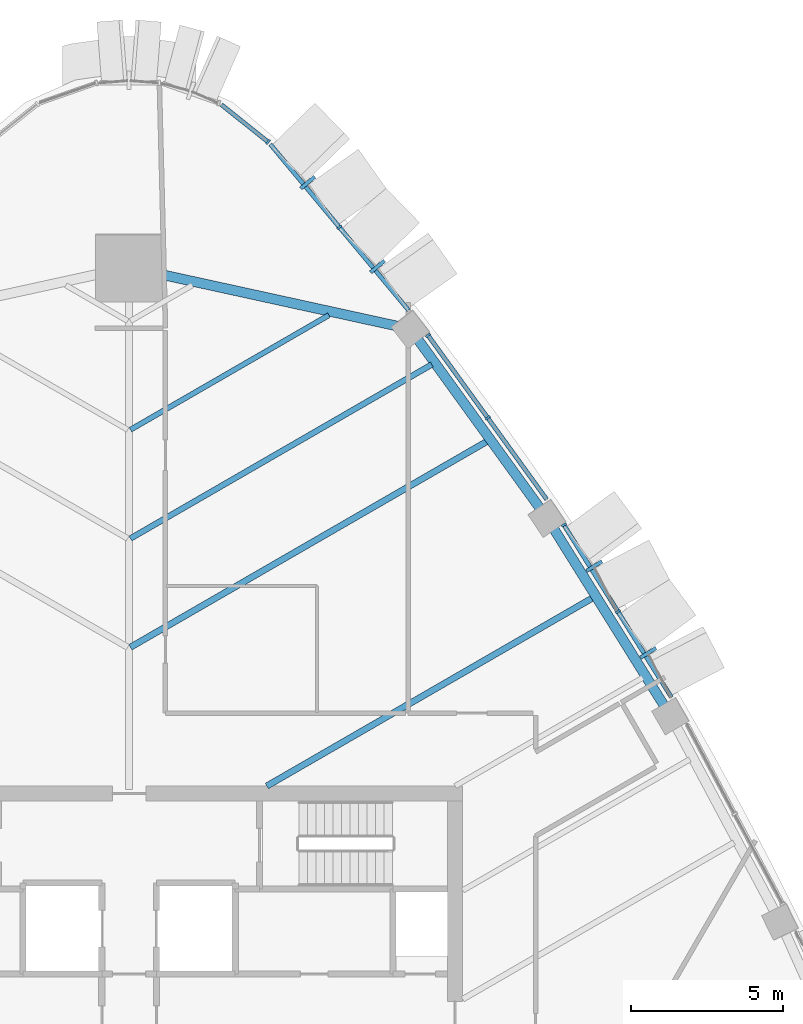
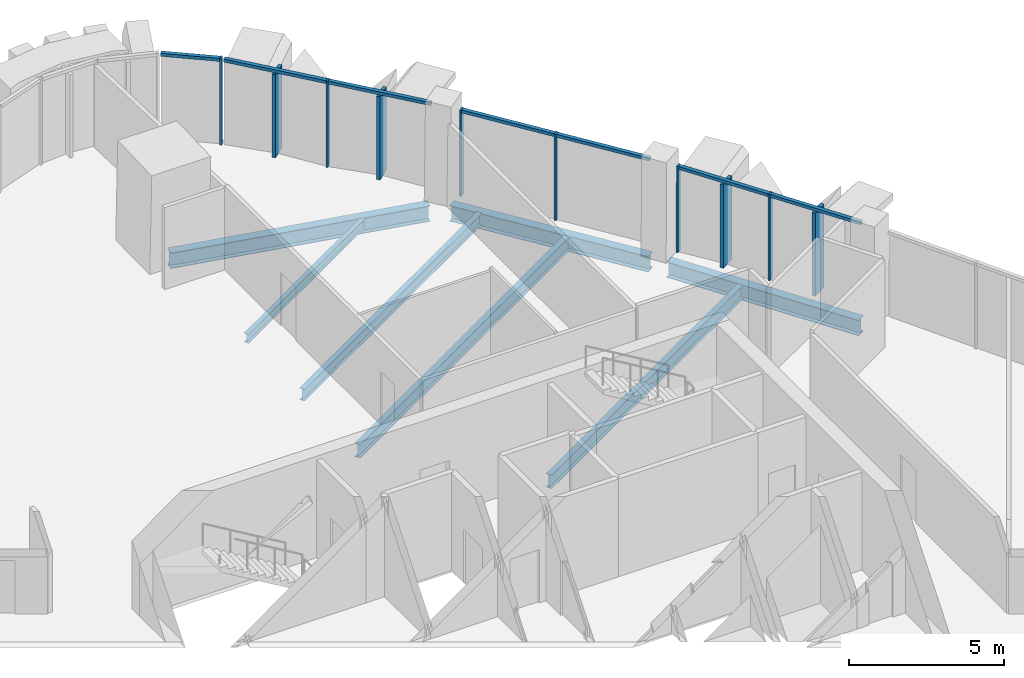
# One storey, part 7 of 18: 17 members, 7 beams, 4 elements without a shape of their own.
"""IFC4 building model written with IfcOpenShell, lengths in metres."""

import ifcopenshell
import ifcopenshell.guid

model = None  # the IFC model being written
_history = None  # IfcOwnerHistory: only IFC2X3 demands one
_inside = {}  # id of a spatial element -> (the spatial element, [elements in it])
_under = {}  # id of a project, library or spatial element -> (it, [spatial elements below it])
_declared = {}  # id of a project -> (the project, [libraries it declares])
_typed = {}  # id of a type object -> (the type object, [elements of that type])
_made_of = {}  # id of a material, layer set ... -> (it, [elements and type objects made of it])


def new_model(schema):
    """Start an empty IFC model of exactly this schema.

    Asked for "IFC4X3", IfcOpenShell would pick the latest addendum, in which some entities
    have other attributes; the version numbers below select the first issue.
    IFC2X3 requires an IfcOwnerHistory on every rooted entity: one is made here for all.
    """
    global model, _history
    if schema == "IFC4X3":
        model = ifcopenshell.file(schema_version=(4, 3, 0, 0))
    else:
        model = ifcopenshell.file(schema=schema)
    _inside.clear()
    _under.clear()
    _declared.clear()
    _typed.clear()
    _made_of.clear()
    _history = None
    if model.schema == "IFC2X3":
        org = make("IfcOrganization", Name="unknown")
        user = make(
            "IfcPersonAndOrganization",
            ThePerson=make("IfcPerson", FamilyName="unknown"),
            TheOrganization=org,
        )
        app = make(
            "IfcApplication",
            ApplicationDeveloper=org,
            Version="unknown",
            ApplicationFullName="unknown",
            ApplicationIdentifier="unknown",
        )
        _history = make(
            "IfcOwnerHistory",
            OwningUser=user,
            OwningApplication=app,
            ChangeAction="ADDED",
            CreationDate=0,
        )
    return model


def make(cls, **values):
    """One entity of the class cls with the attributes given. An attribute that is None is left unset."""
    return model.create_entity(
        cls, **{name: value for name, value in values.items() if value is not None}
    )


def rooted(cls, **values):
    """An entity with a GlobalId (a new one), such as an element, a storey or a relation."""
    return make(cls, GlobalId=ifcopenshell.guid.new(), OwnerHistory=_history, **values)


def si_unit(unit_type, name, prefix=None):
    """IfcSIUnit, for example si_unit("LENGTHUNIT", "METRE", prefix="MILLI")."""
    return make("IfcSIUnit", UnitType=unit_type, Prefix=prefix, Name=name)


def assignment(units):
    """IfcUnitAssignment: the units of a project."""
    return None if units is None else make("IfcUnitAssignment", Units=units)


def point(xyz):
    """IfcCartesianPoint."""
    return None if xyz is None else make("IfcCartesianPoint", Coordinates=xyz)


def direction(xyz):
    """IfcDirection."""
    return None if xyz is None else make("IfcDirection", DirectionRatios=xyz)


def frame(location, z_axis=None, x_axis=None):
    """IfcAxis2Placement3D, a coordinate frame: its origin and axes. An axis left out is left unset."""
    return make(
        "IfcAxis2Placement3D",
        Location=point(location),
        Axis=direction(z_axis),
        RefDirection=direction(x_axis),
    )


def frame_2d(location, x_axis=None):
    """IfcAxis2Placement2D, a coordinate frame in the plane: its origin and x axis."""
    return make(
        "IfcAxis2Placement2D", Location=point(location), RefDirection=direction(x_axis)
    )


def origin():
    """The frame at (0, 0, 0) with its axes left unset."""
    return frame((0.0, 0.0, 0.0))


def origin_2d():
    """The frame at (0, 0) in the plane with its x axis left unset."""
    return frame_2d((0.0, 0.0))


def place(relative_to, where):
    """IfcLocalPlacement: puts the frame where relative to a parent placement (None: the world)."""
    return make(
        "IfcLocalPlacement", PlacementRelTo=relative_to, RelativePlacement=where
    )


def context(
    kind, dimensions, precision=None, world=None, true_north=None, identifier=None
):
    """IfcGeometricRepresentationContext, for example the 3D "Model" context."""
    return make(
        "IfcGeometricRepresentationContext",
        ContextIdentifier=identifier,
        ContextType=kind,
        CoordinateSpaceDimension=dimensions,
        Precision=precision,
        WorldCoordinateSystem=world,
        TrueNorth=true_north,
    )


def subcontext(parent, identifier, kind, view, scale=None):
    """IfcGeometricRepresentationSubContext, for example "Body" below "Model"."""
    return make(
        "IfcGeometricRepresentationSubContext",
        ContextIdentifier=identifier,
        ContextType=kind,
        ParentContext=parent,
        TargetScale=scale,
        TargetView=view,
    )


def project(units=None, contexts=None):
    """IfcProject with its units and contexts."""
    return rooted(
        "IfcProject",
        Name="project",
        RepresentationContexts=contexts,
        UnitsInContext=assignment(units),
    )


def spatial(cls, under=None, at=None, **own):
    """A site, building, storey or space (cls), placed at a placement, below another one or the project."""
    s = rooted(cls, ObjectPlacement=at, **own)
    if under is not None:
        _under.setdefault(under.id(), (under, []))[1].append(s)
    return s


def profile(cls, at=None, kind="AREA", **sizes):
    """A parametric profile (cls). Its sizes go by their IFC names, for example OverallWidth=200.0."""
    return make(cls, ProfileType=kind, Position=at, **sizes)


def rectangle(**sizes):
    """IfcRectangleProfileDef."""
    return profile("IfcRectangleProfileDef", **sizes)


def i_section(**sizes):
    """IfcIShapeProfileDef."""
    return profile("IfcIShapeProfileDef", **sizes)


def extrude(swept, where, along, depth):
    """IfcExtrudedAreaSolid: the profile swept, set in the frame where, extruded along a direction by depth."""
    return make(
        "IfcExtrudedAreaSolid",
        SweptArea=swept,
        Position=where,
        ExtrudedDirection=direction(along),
        Depth=depth,
    )


def shape(context_of_items, identifier, shape_type, items):
    """IfcShapeRepresentation: the items that make up one representation, for example the "Body"."""
    return make(
        "IfcShapeRepresentation",
        ContextOfItems=context_of_items,
        RepresentationIdentifier=identifier,
        RepresentationType=shape_type,
        Items=items,
    )


def material(Name=None, Category=None):
    """IfcMaterial."""
    return make("IfcMaterial", Name=Name, Category=Category)


def layer(
    of_material, thickness, ventilated=None, Name=None, Category=None, Priority=None
):
    """IfcMaterialLayer: one layer of a wall or slab, of a material (None: an air gap)."""
    return make(
        "IfcMaterialLayer",
        Material=of_material,
        LayerThickness=thickness,
        IsVentilated=ventilated,
        Name=Name,
        Category=Category,
        Priority=Priority,
    )


def layer_set(layers, Name=None):
    """IfcMaterialLayerSet."""
    return make("IfcMaterialLayerSet", MaterialLayers=layers, LayerSetName=Name)


def material_profile(
    of_material, cross_section, Name=None, Category=None, Priority=None
):
    """IfcMaterialProfile: a cross section and its material."""
    return make(
        "IfcMaterialProfile",
        Name=Name,
        Material=of_material,
        Profile=cross_section,
        Priority=Priority,
        Category=Category,
    )


def profile_set(profiles, Name=None, composite=None):
    """IfcMaterialProfileSet."""
    return make(
        "IfcMaterialProfileSet",
        Name=Name,
        MaterialProfiles=profiles,
        CompositeProfile=composite,
    )


def made_of(thing, what):
    """Note that an element or type object is made of a material, layer set ...; save() writes the relation."""
    if what is not None:
        _made_of.setdefault(what.id(), (what, []))[1].append(thing)
    return thing


def type_object(cls, material=None, **own):
    """A type object (cls), such as IfcWallType, which elements share."""
    return made_of(rooted(cls, **own), material)


def element(
    cls,
    number,
    at=None,
    inside=None,
    cuts=None,
    type_object=None,
    material=None,
    context=None,
    identifier="Body",
    shape_type=None,
    held_by="IfcProductDefinitionShape",
    body=None,
    shapes=None,
    **own,
):
    """One element of the class cls, such as IfcWall. Its Tag is "e" and its number.

    at: its placement. inside: the storey or other place that contains it. cuts: it is an
    opening in that element (IfcRelVoidsElement). A single representation is given by context,
    identifier, shape_type and body (its items); several are given by shapes. held_by: the class
    of the entity that holds the representations. save() writes the other relations.
    """
    e = rooted(cls, Tag="e%d" % number, ObjectPlacement=at, **own)
    if body is not None:
        shapes = [shape(context, identifier, shape_type, body)]
    if shapes is not None:
        e.Representation = make(held_by, Representations=shapes)
    if inside is not None:
        _inside.setdefault(inside.id(), (inside, []))[1].append(e)
    if cuts is not None:
        rooted(
            "IfcRelVoidsElement", RelatingBuildingElement=cuts, RelatedOpeningElement=e
        )
    if type_object is not None:
        _typed.setdefault(type_object.id(), (type_object, []))[1].append(e)
    return made_of(e, material)


def aggregate(whole, parts):
    """IfcRelAggregates: a whole, such as a stair, and the parts it consists of."""
    return rooted("IfcRelAggregates", RelatingObject=whole, RelatedObjects=parts)


def save(model, path):
    """Write the relations noted so far, then the file.

    IfcRelAggregates (storeys below a building ...), IfcRelContainedInSpatialStructure (elements
    in a storey), IfcRelDefinesByType, IfcRelAssociatesMaterial and IfcRelDeclares: one each for
    every whole, place, type object, material and project.
    """
    for whole, parts in _under.values():
        aggregate(whole, parts)
    for where, things in _inside.values():
        rooted(
            "IfcRelContainedInSpatialStructure",
            RelatedElements=things,
            RelatingStructure=where,
        )
    for kind, things in _typed.values():
        rooted("IfcRelDefinesByType", RelatedObjects=things, RelatingType=kind)
    for what, things in _made_of.values():
        rooted("IfcRelAssociatesMaterial", RelatedObjects=things, RelatingMaterial=what)
    for by, libraries in _declared.values():
        rooted("IfcRelDeclares", RelatingContext=by, RelatedDefinitions=libraries)
    model.write(path)


model = new_model("IFC4")

# Units and contexts
model_context = context("Model", 3, precision=1e-05, world=origin(), true_north=direction((0.0, 1.0)))
body_context = subcontext(model_context, "Body", "Model", "MODEL_VIEW")
ifc_project = project(units=[si_unit("LENGTHUNIT", "METRE"), si_unit("AREAUNIT", "SQUARE_METRE"), si_unit("VOLUMEUNIT", "CUBIC_METRE"), si_unit("PLANEANGLEUNIT", "RADIAN"), si_unit("MASSUNIT", "GRAM", prefix="KILO")], contexts=[model_context])

# Site, building, storey
site_placement = place(None, origin())
site = spatial("IfcSite", under=ifc_project, at=site_placement, CompositionType="ELEMENT")
building_placement = place(site_placement, origin())
building = spatial("IfcBuilding", under=site, at=building_placement, Name="Sierra Prisma Convention Tower", CompositionType="ELEMENT")
storey_placement = place(building_placement, frame((0.0, 0.0, 251.0)))
storey = spatial("IfcBuildingStorey", under=building, at=storey_placement, Name="L56", CompositionType="ELEMENT", Elevation=251.0)

# Curtain wall, members
ifc_material_1 = material(Name="Aluminium and glass curtain wall", Category="aluminium")
ifc_layer_1 = layer(ifc_material_1, 0.179931640625)
ifc_layer_set_1 = layer_set([ifc_layer_1], Name="CW-2 Faceted crystal curtain wall")
curtain_wall_type_1 = type_object("IfcCurtainWallType", Name="CW-2 Faceted crystal curtain wall", PredefinedType="NOTDEFINED", material=ifc_layer_set_1)
curtain_wall_1_placement = place(storey_placement, origin())
curtain_wall_1 = element("IfcCurtainWall", 1, at=curtain_wall_1_placement, inside=storey, type_object=curtain_wall_type_1, Name="CW-2 NE4 L56", PredefinedType="NOTDEFINED")
ifc_material_2 = material(Name="Aluminium 6063-T6 bronze anodised", Category="aluminium")
ifc_material_profile_1 = material_profile(ifc_material_2, rectangle(XDim=0.1201171875, YDim=0.60009765625, at=origin_2d()), Name="ALU RIDGE BLADE 120x600")
ifc_profile_set_1 = profile_set([ifc_material_profile_1], Name="Aluminium 6063-T6 bronze anodised")
member_type_1 = type_object("IfcMemberType", Name="CW hip bronze", PredefinedType="MULLION", material=ifc_profile_set_1)
member_1_placement = place(storey_placement, frame((17.11767578125, 12.390869140625, 0.0), z_axis=(0.0, 0.0, 1.0), x_axis=(-0.529311801068, 0.84842737889, 0.0)))
member_1 = element("IfcMember", 2, at=member_1_placement, type_object=member_type_1, Name="CW-2 ridge NE4.1", PredefinedType="MULLION", context=body_context, shape_type="SweptSolid", body=[
    extrude(rectangle(XDim=0.1201171875, YDim=0.60009765625, at=origin_2d()), origin(), (0.0, 0.0, 1.0), 3.280029296875),
])
member_2_placement = place(storey_placement, frame((15.335205078125, 15.248046875, 0.0), z_axis=(0.0, 0.0, 1.0), x_axis=(-0.529311801068, 0.84842737889, 0.0)))
member_2 = element("IfcMember", 3, at=member_2_placement, type_object=member_type_1, Name="CW-2 ridge NE4.2", PredefinedType="MULLION", context=body_context, shape_type="SweptSolid", body=[
    extrude(rectangle(XDim=0.1201171875, YDim=0.60009765625, at=origin_2d()), origin(), (0.0, 0.0, 1.0), 3.280029296875),
])

curtain_wall_2_placement = place(storey_placement, origin())
curtain_wall_2 = element("IfcCurtainWall", 4, at=curtain_wall_2_placement, inside=storey, type_object=curtain_wall_type_1, Name="CW-2 NE6 L56", PredefinedType="NOTDEFINED")
member_3_placement = place(storey_placement, frame((8.193115234375, 25.126220703125, 0.0), z_axis=(0.0, 0.0, 1.0), x_axis=(-0.640040491555, 0.768341180186, 0.0)))
member_3 = element("IfcMember", 5, at=member_3_placement, type_object=member_type_1, Name="CW-2 ridge NE6.1", PredefinedType="MULLION", context=body_context, shape_type="SweptSolid", body=[
    extrude(rectangle(XDim=0.1201171875, YDim=0.60009765625, at=origin_2d()), origin(), (0.0, 0.0, 1.0), 3.280029296875),
])
member_4_placement = place(storey_placement, frame((5.889892578125, 27.89111328125, 0.0), z_axis=(0.0, 0.0, 1.0), x_axis=(-0.640040491555, 0.768341180186, 0.0)))
member_4 = element("IfcMember", 6, at=member_4_placement, type_object=member_type_1, Name="CW-2 ridge NE6.2", PredefinedType="MULLION", context=body_context, shape_type="SweptSolid", body=[
    extrude(rectangle(XDim=0.1201171875, YDim=0.60009765625, at=origin_2d()), origin(), (0.0, 0.0, 1.0), 3.280029296875),
])

# Member
ifc_material_3 = material(Name="Aluminium 6063-T6 bronze anodised", Category="aluminium")
ifc_material_profile_2 = material_profile(ifc_material_3, rectangle(XDim=0.179931640625, YDim=0.070068359375, at=origin_2d()), Name="ALU MULLION 70x180")
ifc_profile_set_2 = profile_set([ifc_material_profile_2], Name="Aluminium 6063-T6 bronze anodised")
member_type_2 = type_object("IfcMemberType", Name="CW mullion bronze", PredefinedType="MULLION", material=ifc_profile_set_2)
member_5_placement = place(storey_placement, frame((16.116455078125, 13.750732421875, 0.0), z_axis=(0.0, 0.0, 1.0), x_axis=(-0.84842737889, -0.529311801068, 0.0)))
member_5 = element("IfcMember", 7, at=member_5_placement, type_object=member_type_2, Name="CW-1 mullion NE4.2", PredefinedType="MULLION", context=body_context, shape_type="SweptSolid", body=[
    extrude(rectangle(XDim=0.179931640625, YDim=0.070068359375, at=origin_2d()), origin(), (0.0, 0.0, 1.0), 3.39990234375),
])

member_6_placement = place(storey_placement, frame((14.333984375, 16.60791015625, 0.0), z_axis=(0.0, 0.0, 1.0), x_axis=(-0.84842737889, -0.529311801068, 0.0)))
member_6 = element("IfcMember", 8, at=member_6_placement, type_object=member_type_2, Name="CW-1 mullion NE4.3", PredefinedType="MULLION", context=body_context, shape_type="SweptSolid", body=[
    extrude(rectangle(XDim=0.179931640625, YDim=0.070068359375, at=origin_2d()), origin(), (0.0, 0.0, 1.0), 3.39990234375),
])

# Curtain wall, members
ifc_material_4 = material(Name="Aluminium and glass curtain wall", Category="aluminium")
ifc_layer_2 = layer(ifc_material_4, 0.179931640625)
ifc_layer_set_2 = layer_set([ifc_layer_2], Name="CW-1 Plain shaft curtain wall")
curtain_wall_type_2 = type_object("IfcCurtainWallType", Name="CW-1 Plain shaft curtain wall", PredefinedType="NOTDEFINED", material=ifc_layer_set_2)
curtain_wall_3_placement = place(storey_placement, origin())
curtain_wall_3 = element("IfcCurtainWall", 9, at=curtain_wall_3_placement, inside=storey, type_object=curtain_wall_type_2, Name="CW-1 NE5 L56", PredefinedType="NOTDEFINED")
member_7_placement = place(storey_placement, frame((11.822021484375, 20.138671875, 0.0), z_axis=(0.0, 0.0, 1.0), x_axis=(-0.810277948692, -0.586045771133, 0.0)))
member_7 = element("IfcMember", 10, at=member_7_placement, type_object=member_type_2, Name="CW-1 mullion NE5.2", PredefinedType="MULLION", context=body_context, shape_type="SweptSolid", body=[
    extrude(rectangle(XDim=0.179931640625, YDim=0.070068359375, at=origin_2d()), origin(), (0.0, 0.0, 1.0), 3.39990234375),
])
member_8_placement = place(storey_placement, frame((9.857421875, 22.85498046875, 0.0), z_axis=(0.0, 0.0, 1.0), x_axis=(-0.810277948692, -0.586045771133, 0.0)))
member_8 = element("IfcMember", 11, at=member_8_placement, type_object=member_type_2, Name="CW-1 mullion NE5.3", PredefinedType="MULLION", context=body_context, shape_type="SweptSolid", body=[
    extrude(rectangle(XDim=0.179931640625, YDim=0.070068359375, at=origin_2d()), origin(), (0.0, 0.0, 1.0), 3.39990234375),
])

# Member
member_9_placement = place(storey_placement, frame((6.934814453125, 26.419677734375, 0.0), z_axis=(0.0, 0.0, 1.0), x_axis=(-0.768341180186, -0.640040491555, 0.0)))
member_9 = element("IfcMember", 12, at=member_9_placement, type_object=member_type_2, Name="CW-1 mullion NE6.2", PredefinedType="MULLION", context=body_context, shape_type="SweptSolid", body=[
    extrude(rectangle(XDim=0.179931640625, YDim=0.070068359375, at=origin_2d()), origin(), (0.0, 0.0, 1.0), 3.39990234375),
])

# Curtain wall, member
curtain_wall_4_placement = place(storey_placement, origin())
curtain_wall_4 = element("IfcCurtainWall", 13, at=curtain_wall_4_placement, inside=storey, type_object=curtain_wall_type_2, Name="CW-1 N1 L56", PredefinedType="NOTDEFINED")
member_10_placement = place(storey_placement, frame((4.58203125, 29.2333984375, 0.0), z_axis=(0.0, 0.0, 1.0), x_axis=(-0.623838056769, -0.78155363151, 0.0)))
member_10 = element("IfcMember", 14, at=member_10_placement, type_object=member_type_2, Name="CW-1 mullion N1.1", PredefinedType="MULLION", context=body_context, shape_type="SweptSolid", body=[
    extrude(rectangle(XDim=0.179931640625, YDim=0.070068359375, at=origin_2d()), origin(), (0.0, 0.0, 1.0), 3.39990234375),
])

# Member
ifc_material_5 = material(Name="Aluminium 6063-T6 bronze anodised", Category="aluminium")
ifc_material_profile_3 = material_profile(ifc_material_5, rectangle(XDim=0.139892578125, YDim=0.1201171875, at=origin_2d()), Name="ALU TRANSOM 120x140")
ifc_profile_set_3 = profile_set([ifc_material_profile_3], Name="Aluminium 6063-T6 bronze anodised")
member_type_3 = type_object("IfcMemberType", Name="CW transom bronze", PredefinedType="USERDEFINED", material=ifc_profile_set_3)
member_11_placement = place(storey_placement, frame((17.88037109375, 10.92333984375, 3.340087890625), z_axis=(-0.529313271206, 0.848426461707, 0.0), x_axis=(-0.848426461707, -0.529313271206, 0.0)))
member_11 = element("IfcMember", 15, at=member_11_placement, type_object=member_type_3, Name="CW-1 transom NE4.1", ObjectType="TRANSOM", PredefinedType="USERDEFINED", context=body_context, shape_type="SweptSolid", body=[
    extrude(rectangle(XDim=0.139892578125, YDim=0.1201171875, at=origin_2d()), origin(), (0.0, 0.0, 1.0), 3.29736328125),
])

member_12_placement = place(storey_placement, frame((16.097900390625, 13.780517578125, 3.340087890625), z_axis=(-0.529313271206, 0.848426461707, 0.0), x_axis=(-0.848426461707, -0.529313271206, 0.0)))
member_12 = element("IfcMember", 16, at=member_12_placement, type_object=member_type_3, Name="CW-1 transom NE4.2", ObjectType="TRANSOM", PredefinedType="USERDEFINED", context=body_context, shape_type="SweptSolid", body=[
    extrude(rectangle(XDim=0.139892578125, YDim=0.1201171875, at=origin_2d()), origin(), (0.0, 0.0, 1.0), 3.29736328125),
])

aggregate(curtain_wall_1, [member_5, member_6, member_11, member_1, member_12, member_2])

member_13_placement = place(storey_placement, frame((13.76611328125, 17.45068359375, 3.340087890625), z_axis=(-0.58603355641, 0.810286783035, 0.0), x_axis=(-0.810286783035, -0.58603355641, 0.0)))
member_13 = element("IfcMember", 17, at=member_13_placement, type_object=member_type_3, Name="CW-1 transom NE5.1", ObjectType="TRANSOM", PredefinedType="USERDEFINED", context=body_context, shape_type="SweptSolid", body=[
    extrude(rectangle(XDim=0.139892578125, YDim=0.1201171875, at=origin_2d()), origin(), (0.0, 0.0, 1.0), 3.282470703125),
])

member_14_placement = place(storey_placement, frame((11.801513671875, 20.1669921875, 3.340087890625), z_axis=(-0.58603355641, 0.810286783035, 0.0), x_axis=(-0.810286783035, -0.58603355641, 0.0)))
member_14 = element("IfcMember", 18, at=member_14_placement, type_object=member_type_3, Name="CW-1 transom NE5.2", ObjectType="TRANSOM", PredefinedType="USERDEFINED", context=body_context, shape_type="SweptSolid", body=[
    extrude(rectangle(XDim=0.139892578125, YDim=0.1201171875, at=origin_2d()), origin(), (0.0, 0.0, 1.0), 3.282470703125),
])

aggregate(curtain_wall_3, [member_7, member_8, member_13, member_14])

member_15_placement = place(storey_placement, frame((9.215576171875, 23.681884765625, 3.340087890625), z_axis=(-0.640048269469, 0.768334700993, 0.0), x_axis=(-0.768334700993, -0.640048269469, 0.0)))
member_15 = element("IfcMember", 19, at=member_15_placement, type_object=member_type_3, Name="CW-1 transom NE6.1", ObjectType="TRANSOM", PredefinedType="USERDEFINED", context=body_context, shape_type="SweptSolid", body=[
    extrude(rectangle(XDim=0.139892578125, YDim=0.1201171875, at=origin_2d()), origin(), (0.0, 0.0, 1.0), 3.5283203125),
])

member_16_placement = place(storey_placement, frame((6.912353515625, 26.44677734375, 3.340087890625), z_axis=(-0.640048269469, 0.768334700993, 0.0), x_axis=(-0.768334700993, -0.640048269469, 0.0)))
member_16 = element("IfcMember", 20, at=member_16_placement, type_object=member_type_3, Name="CW-1 transom NE6.2", ObjectType="TRANSOM", PredefinedType="USERDEFINED", context=body_context, shape_type="SweptSolid", body=[
    extrude(rectangle(XDim=0.139892578125, YDim=0.1201171875, at=origin_2d()), origin(), (0.0, 0.0, 1.0), 3.5283203125),
])

aggregate(curtain_wall_2, [member_9, member_15, member_3, member_16, member_4])

member_17_placement = place(storey_placement, frame((4.5546875, 29.255126953125, 3.340087890625), z_axis=(-0.781571258418, 0.623815972876, 0.0), x_axis=(-0.623815972876, -0.781571258418, 0.0)))
member_17 = element("IfcMember", 21, at=member_17_placement, type_object=member_type_3, Name="CW-1 transom N1.1", ObjectType="TRANSOM", PredefinedType="USERDEFINED", context=body_context, shape_type="SweptSolid", body=[
    extrude(rectangle(XDim=0.139892578125, YDim=0.1201171875, at=origin_2d()), origin(), (0.0, 0.0, 1.0), 1.931396484375),
])

aggregate(curtain_wall_4, [member_10, member_17])

# Beams
ifc_material_6 = material(Name="Steel ASTM A992 Gr 50", Category="steel")
ifc_material_profile_4 = material_profile(ifc_material_6, i_section(OverallWidth=0.172119140625, OverallDepth=0.35791015625, WebThickness=0.0078125, FlangeThickness=0.01318359375, at=origin_2d()), Name="W360x57")
ifc_profile_set_4 = profile_set([ifc_material_profile_4], Name="Steel ASTM A992 Gr 50")
beam_type_1 = type_object("IfcBeamType", Name="Floor joist W360x57", PredefinedType="JOIST", material=ifc_profile_set_4)
beam_1_placement = place(storey_placement, frame((6.588623046875, 23.52294921875, -0.3291015625), z_axis=(-0.866031139017, -0.499990066154, 0.0), x_axis=(0.499990066154, -0.866031139017, 0.0)))
element("IfcBeam", 22, at=beam_1_placement, inside=storey, type_object=beam_type_1, Name="Floor joist L56 NE13", PredefinedType="JOIST", context=body_context, shape_type="SweptSolid", body=[
    extrude(i_section(OverallWidth=0.172119140625, OverallDepth=0.35791015625, WebThickness=0.0078125, FlangeThickness=0.01318359375, at=origin_2d()), origin(), (0.0, 0.0, 1.0), 7.554931640625),
])
ifc_material_7 = material(Name="Steel ASTM A992 Gr 50", Category="steel")
ifc_material_profile_5 = material_profile(ifc_material_7, i_section(OverallWidth=0.18994140625, OverallDepth=0.45703125, WebThickness=0.009033203125, FlangeThickness=0.014404296875, at=origin_2d()), Name="W460x74")
ifc_profile_set_5 = profile_set([ifc_material_profile_5], Name="Steel ASTM A992 Gr 50")
beam_type_2 = type_object("IfcBeamType", Name="Floor joist W460x74", PredefinedType="JOIST", material=ifc_profile_set_5)
beam_2_placement = place(storey_placement, frame((9.980224609375, 21.89599609375, -0.37841796875), z_axis=(-0.866025033342, -0.500000641624, 0.0), x_axis=(0.500000641624, -0.866025033342, 0.0)))
element("IfcBeam", 23, at=beam_2_placement, inside=storey, type_object=beam_type_2, Name="Floor joist L56 NE12", PredefinedType="JOIST", context=body_context, shape_type="SweptSolid", body=[
    extrude(i_section(OverallWidth=0.18994140625, OverallDepth=0.45703125, WebThickness=0.009033203125, FlangeThickness=0.014404296875, at=origin_2d()), origin(), (0.0, 0.0, 1.0), 11.47119140625),
])
ifc_material_8 = material(Name="Steel ASTM A992 Gr 50", Category="steel")
ifc_material_profile_6 = material_profile(ifc_material_8, i_section(OverallWidth=0.208984375, OverallDepth=0.532958984375, WebThickness=0.01025390625, FlangeThickness=0.015625, at=origin_2d()), Name="W530x92")
ifc_profile_set_6 = profile_set([ifc_material_profile_6], Name="Steel ASTM A992 Gr 50")
beam_type_3 = type_object("IfcBeamType", Name="Floor joist W530x92", PredefinedType="JOIST", material=ifc_profile_set_6)
beam_3_placement = place(storey_placement, frame((15.288330078125, 14.20458984375, -0.41650390625), z_axis=(-0.866028653791, -0.499994370782, 0.0), x_axis=(0.499994370782, -0.866028653791, 0.0)))
element("IfcBeam", 24, at=beam_3_placement, inside=storey, type_object=beam_type_3, Name="Floor joist L56 NE09", PredefinedType="JOIST", context=body_context, shape_type="SweptSolid", body=[
    extrude(i_section(OverallWidth=0.208984375, OverallDepth=0.532958984375, WebThickness=0.01025390625, FlangeThickness=0.015625, at=origin_2d()), origin(), (0.0, 0.0, 1.0), 12.409423828125),
])
beam_4_placement = place(storey_placement, frame((11.8095703125, 19.36669921875, -0.41650390625), z_axis=(-0.866025756889, -0.499999388405, 0.0), x_axis=(0.499999388405, -0.866025756889, 0.0)))
element("IfcBeam", 25, at=beam_4_placement, inside=storey, type_object=beam_type_3, Name="Floor joist L56 NE11", PredefinedType="JOIST", context=body_context, shape_type="SweptSolid", body=[
    extrude(i_section(OverallWidth=0.208984375, OverallDepth=0.532958984375, WebThickness=0.01025390625, FlangeThickness=0.015625, at=origin_2d()), origin(), (0.0, 0.0, 1.0), 13.58349609375),
])
ifc_material_9 = material(Name="Steel ASTM A992 Gr 50", Category="steel")
ifc_material_profile_7 = material_profile(ifc_material_9, i_section(OverallWidth=0.324951171875, OverallDepth=0.615966796875, WebThickness=0.013916015625, FlangeThickness=0.021484375, at=origin_2d()), Name="W610x174")
ifc_profile_set_7 = profile_set([ifc_material_profile_7], Name="Steel ASTM A992 Gr 50")
beam_type_4 = type_object("IfcBeamType", Name="Spandrel beam W610x174", PredefinedType="BEAM", material=ifc_profile_set_7)
for number, where, z_axis, x_axis, name in (
    (26, (17.677734375, 10.58740234375, -0.4580078125), (-0.529315369114, 0.848425152868, 0.0), (-0.848425152868, -0.529315369114, 0.0), "Spandrel L56-10"),
    (27, (13.5869140625, 17.101806640625, -0.4580078125), (-0.586045595424, 0.810278075777, 0.0), (-0.810278075777, -0.586045595424, 0.0), "Spandrel L56-11"),
):
    element("IfcBeam", number, at=place(storey_placement, frame(where, z_axis=z_axis, x_axis=x_axis)), inside=storey, type_object=beam_type_4, Name=name, PredefinedType="BEAM", context=body_context, shape_type="SweptSolid", body=[
        extrude(i_section(OverallWidth=0.324951171875, OverallDepth=0.615966796875, WebThickness=0.013916015625, FlangeThickness=0.021484375, at=origin_2d()), origin(), (0.0, 0.0, 1.0), 7.032470703125),
    ])
beam_5_placement = place(storey_placement, frame((8.81689453125, 23.167236328125, -0.4580078125), z_axis=(-0.976875940631, 0.213806914334, 0.0), x_axis=(-0.213806914334, -0.976875940631, 0.0)))
element("IfcBeam", 28, at=beam_5_placement, inside=storey, type_object=beam_type_4, Name="Spandrel L56-12", PredefinedType="BEAM", context=body_context, shape_type="SweptSolid", body=[
    extrude(i_section(OverallWidth=0.324951171875, OverallDepth=0.615966796875, WebThickness=0.013916015625, FlangeThickness=0.021484375, at=origin_2d()), origin(), (0.0, 0.0, 1.0), 8.800537109375),
])

save(model, "model.ifc")
